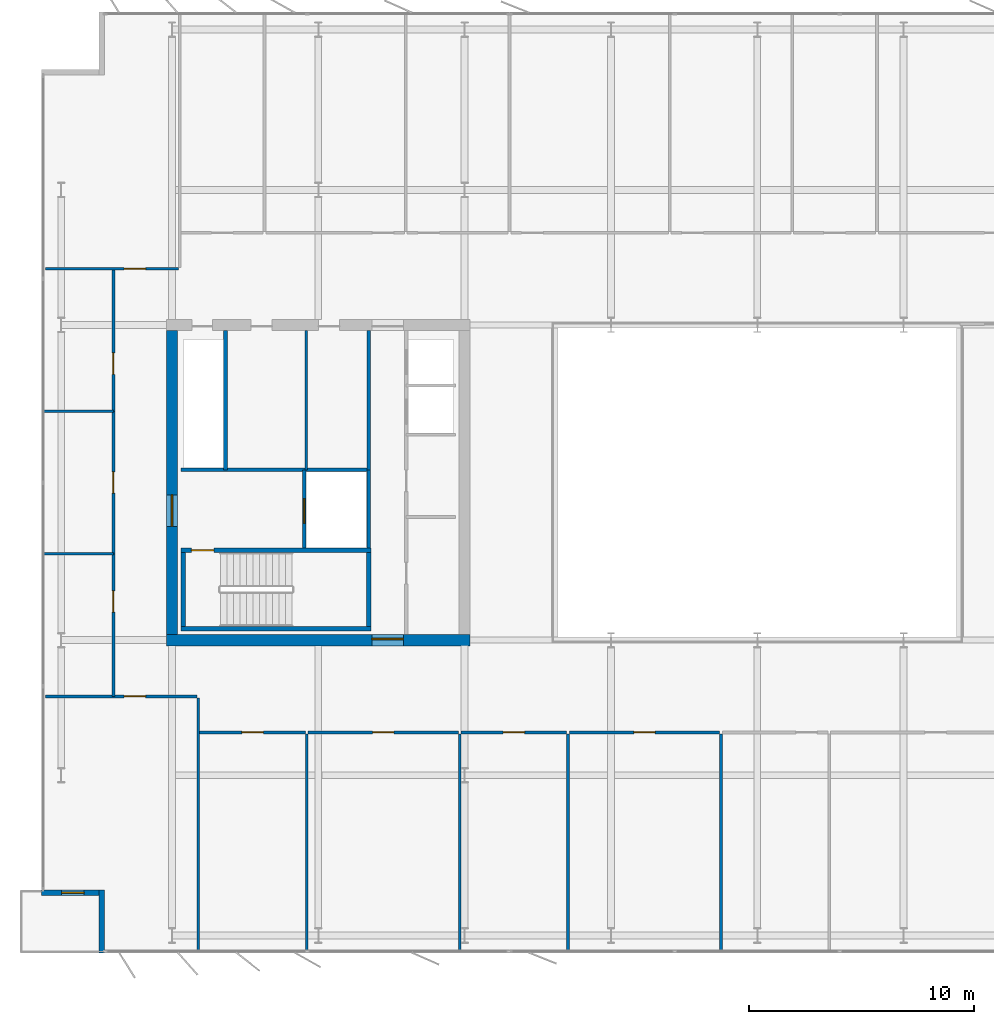
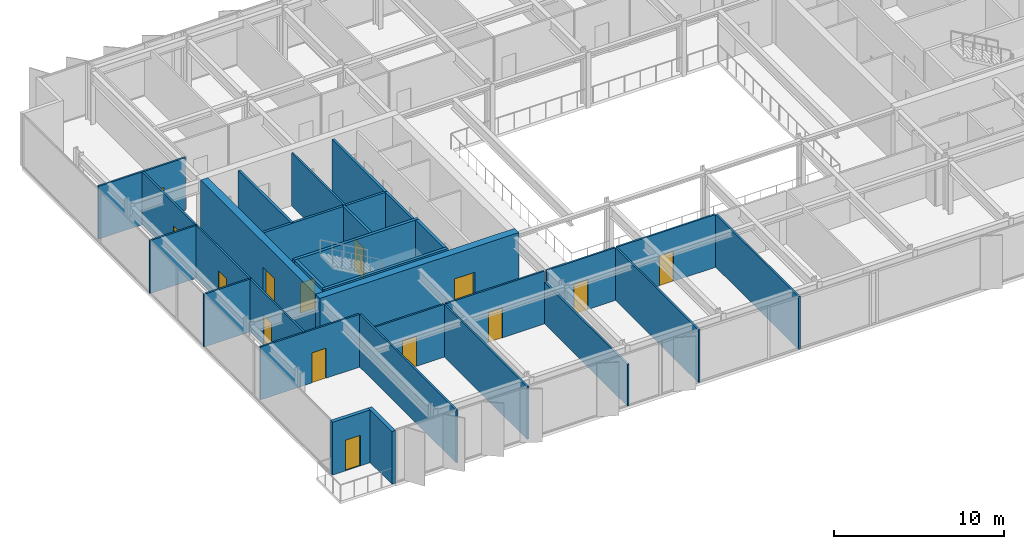
# One storey, part 13 of 20: 30 walls, 14 doors, 14 openings.
"""IFC4 building model written with IfcOpenShell, lengths in metres."""

from ifc_helpers import new_model, si_unit, direction, frame, frame_2d, origin, place, context, subcontext, project, spatial, rectangle, extrude, material, layer, layer_set, type_object, element, fill, save


model = new_model("IFC4")

# Units and contexts
model_context = context("Model", 3, precision=1e-05, world=origin(), true_north=direction((0.0, 1.0)))
body_context = subcontext(model_context, "Body", "Model", "MODEL_VIEW")
ifc_project = project(units=[si_unit("LENGTHUNIT", "METRE"), si_unit("AREAUNIT", "SQUARE_METRE"), si_unit("VOLUMEUNIT", "CUBIC_METRE"), si_unit("PLANEANGLEUNIT", "RADIAN"), si_unit("MASSUNIT", "GRAM", prefix="KILO")], contexts=[model_context])

# Site, building, storey
site_placement = place(None, origin())
site = spatial("IfcSite", under=ifc_project, at=site_placement, CompositionType="ELEMENT")
building_placement = place(site_placement, origin())
building = spatial("IfcBuilding", under=site, at=building_placement, Name="Putna Gate Headquarters", CompositionType="ELEMENT")
storey_placement = place(building_placement, frame((0.0, 0.0, 298.39990234375)))
storey = spatial("IfcBuildingStorey", under=building, at=storey_placement, Name="L75", CompositionType="ELEMENT", Elevation=298.39990234375)

# Wall, opening, door
ifc_material_1 = material(Name="Concrete C50/60", Category="concrete")
ifc_layer_1 = layer(ifc_material_1, 0.5)
ifc_layer_set_1 = layer_set([ifc_layer_1], Name="Concrete C50/60")
wall_type_1 = type_object("IfcWallType", Name="WALL-CORE-500", PredefinedType="SHEAR", material=ifc_layer_set_1)
wall_1_placement = place(storey_placement, frame((12.75, 19.0, 0.0), z_axis=(0.0, 0.0, 1.0), x_axis=(1.0, 0.0, 0.0)))
wall_1 = element("IfcWall", 1, at=wall_1_placement, inside=storey, type_object=wall_type_1, Name="L75 WC Split Core Shear Wall S", PredefinedType="SHEAR", context=body_context, shape_type="SweptSolid", body=[
    extrude(rectangle(XDim=13.5, YDim=0.5, at=frame_2d((6.75, 0.0))), origin(), (0.0, 0.0, 1.0), 4.0),
])
opening_1_placement = place(wall_1_placement, frame((9.1298828125, 0.0, 0.0)))
opening_1 = element("IfcOpeningElement", 2, at=opening_1_placement, cuts=wall_1, Name="Opening FDD-140", PredefinedType="OPENING", context=body_context, shape_type="SweptSolid", body=[
    extrude(rectangle(XDim=1.39990234375, YDim=2.199951171875, at=frame_2d((0.699951171875, 1.10009765625))), frame((0.0, 0.260009765625, 0.0), z_axis=(0.0, -1.0, 0.0), x_axis=(1.0, 0.0, 0.0)), (0.0, 0.0, 1.0), 0.52001953125),
])
ifc_material_2 = material(Name="Double steel fire door", Category="steel")
door_type_1 = type_object("IfcDoorType", Name="DOOR-FIRE-DBL-1400", OperationType="DOUBLE_DOOR_SINGLE_SWING", PredefinedType="DOOR", material=ifc_material_2)
door_1_placement = place(opening_1_placement, origin())
door_1 = element("IfcDoor", 3, at=door_1_placement, inside=storey, type_object=door_type_1, Name="L75 West Lift Lobby South Door", OperationType="DOUBLE_DOOR_SINGLE_SWING", OverallHeight=2.199951171875, OverallWidth=1.39990234375, PredefinedType="DOOR", context=body_context, shape_type="SweptSolid", body=[
    extrude(rectangle(XDim=1.39990234375, YDim=2.199951171875, at=frame_2d((0.699951171875, 1.10009765625))), frame((0.0, 0.0751953125, 0.0), z_axis=(0.0, -1.0, 0.0), x_axis=(1.0, 0.0, 0.0)), (0.0, 0.0, 1.0), 0.050048828125),
])
fill(opening_1, door_1)

wall_2_placement = place(storey_placement, frame((13.0, 19.25, 0.0), z_axis=(0.0, 0.0, 1.0), x_axis=(0.0, 1.0, 0.0)))
wall_2 = element("IfcWall", 4, at=wall_2_placement, inside=storey, type_object=wall_type_1, Name="L75 WC Split Core Shear Wall W", PredefinedType="SHEAR", context=body_context, shape_type="SweptSolid", body=[
    extrude(rectangle(XDim=13.5, YDim=0.5, at=frame_2d((6.75, 0.0))), origin(), (0.0, 0.0, 1.0), 4.0),
])
opening_2_placement = place(wall_2_placement, frame((4.800048828125, 0.0, 0.0)))
opening_2 = element("IfcOpeningElement", 5, at=opening_2_placement, cuts=wall_2, Name="Opening FDD-140", PredefinedType="OPENING", context=body_context, shape_type="SweptSolid", body=[
    extrude(rectangle(XDim=1.39990234375, YDim=2.199951171875, at=frame_2d((0.699951171875, 1.10009765625))), frame((0.0, 0.260009765625, 0.0), z_axis=(0.0, -1.0, 0.0), x_axis=(1.0, 0.0, 0.0)), (0.0, 0.0, 1.0), 0.52001953125),
])
door_2_placement = place(opening_2_placement, origin())
door_2 = element("IfcDoor", 6, at=door_2_placement, inside=storey, type_object=door_type_1, Name="L75 West Firefighting Lobby Door", OperationType="DOUBLE_DOOR_SINGLE_SWING", OverallHeight=2.199951171875, OverallWidth=1.39990234375, PredefinedType="DOOR", context=body_context, shape_type="SweptSolid", body=[
    extrude(rectangle(XDim=1.39990234375, YDim=2.199951171875, at=frame_2d((0.699951171875, 1.10009765625))), frame((0.0, 0.02490234375, 0.0), z_axis=(0.0, -1.0, 0.0), x_axis=(1.0, 0.0, 0.0)), (0.0, 0.0, 1.0), 0.050048828125),
])
fill(opening_2, door_2)

# Wall
ifc_material_3 = material(Name="Precast concrete C40/50", Category="concrete")
ifc_layer_2 = layer(ifc_material_3, 0.239990234375)
ifc_layer_set_2 = layer_set([ifc_layer_2], Name="Precast concrete C40/50")
wall_type_2 = type_object("IfcWallType", Name="WALL-EXT-TERR-240", PredefinedType="STANDARD", material=ifc_layer_set_2)
wall_3_placement = place(storey_placement, frame((9.8798828125, 5.10009765625, 0.0), z_axis=(0.0, 0.0, 1.0), x_axis=(0.0, 1.0, 0.0)))
element("IfcWall", 7, at=wall_3_placement, inside=storey, type_object=wall_type_2, Name="L75 Corner Notch Return Wall SW-V", PredefinedType="STANDARD", context=body_context, shape_type="SweptSolid", body=[
    extrude(rectangle(XDim=2.7998046875, YDim=0.239990234375, at=frame_2d((1.39990234375, 0.0))), origin(), (0.0, 0.0, 1.0), 3.7880859375),
])

# Wall, opening, door
wall_4_placement = place(storey_placement, frame((10.0, 7.780029296875, 0.0), z_axis=(0.0, 0.0, 1.0), x_axis=(-1.0, 0.0, 0.0)))
wall_4 = element("IfcWall", 8, at=wall_4_placement, inside=storey, type_object=wall_type_2, Name="L75 Corner Notch Return Wall SW-H", PredefinedType="STANDARD", context=body_context, shape_type="SweptSolid", body=[
    extrude(rectangle(XDim=2.800048828125, YDim=0.239990234375, at=frame_2d((1.39990234375, 0.0))), origin(), (0.0, 0.0, 1.0), 3.7880859375),
])
opening_3_placement = place(wall_4_placement, frame((0.89990234375, 0.0, 0.0)))
opening_3 = element("IfcOpeningElement", 9, at=opening_3_placement, cuts=wall_4, Name="Opening TRD-1", PredefinedType="OPENING", context=body_context, shape_type="SweptSolid", body=[
    extrude(rectangle(XDim=1.0, YDim=2.199951171875, at=frame_2d((0.5, 1.10009765625))), frame((0.0, 0.1298828125, 0.0), z_axis=(0.0, -1.0, 0.0), x_axis=(1.0, 0.0, 0.0)), (0.0, 0.0, 1.0), 0.260009765625),
])
ifc_material_4 = material(Name="Thermally broken bronze glazed terrace door")
door_type_2 = type_object("IfcDoorType", Name="DOOR-TERR-EXT-1000", OperationType="NOTDEFINED", PredefinedType="DOOR", material=ifc_material_4)
door_3_placement = place(opening_3_placement, origin())
door_3 = element("IfcDoor", 10, at=door_3_placement, inside=storey, type_object=door_type_2, Name="L75 Spiral Sky Terrace Door SW", OperationType="SINGLE_SWING_LEFT", OverallHeight=2.199951171875, OverallWidth=1.0, PredefinedType="DOOR", context=body_context, shape_type="SweptSolid", body=[
    extrude(rectangle(XDim=1.0, YDim=2.199951171875, at=frame_2d((0.5, 1.10009765625))), frame((0.0, 0.02490234375, 0.0), z_axis=(0.0, -1.0, 0.0), x_axis=(1.0, 0.0, 0.0)), (0.0, 0.0, 1.0), 0.050048828125),
])
fill(opening_3, door_3)

# Walls
ifc_material_5 = material(Name="Acoustic gypsum board on metal stud")
ifc_layer_3 = layer(ifc_material_5, 0.1201171875)
ifc_layer_set_3 = layer_set([ifc_layer_3], Name="Acoustic gypsum board on metal stud")
wall_type_3 = type_object("IfcWallType", Name="WALL-PART-120", PredefinedType="PARTITIONING", material=ifc_layer_set_3)
wall_5_placement = place(storey_placement, frame((14.174072265625, 5.1201171875, 0.0), z_axis=(0.0, 0.0, 1.0), x_axis=(0.0, 1.0, 0.0)))
element("IfcWall", 11, at=wall_5_placement, inside=storey, type_object=wall_type_3, Name="L75 Interior Wall PART-L75-SB-DIV-01", PredefinedType="PARTITIONING", context=body_context, shape_type="SweptSolid", body=[
    extrude(rectangle(XDim=11.31982421875, YDim=0.1201171875, at=frame_2d((5.659912109375, 0.0))), origin(), (0.0, 0.0, 1.0), 3.7880859375),
])
wall_6_placement = place(storey_placement, frame((18.98681640625, 5.1201171875, 0.0), z_axis=(0.0, 0.0, 1.0), x_axis=(0.0, 1.0, 0.0)))
element("IfcWall", 12, at=wall_6_placement, inside=storey, type_object=wall_type_3, Name="L75 Interior Wall PART-L75-SB-DIV-02", PredefinedType="PARTITIONING", context=body_context, shape_type="SweptSolid", body=[
    extrude(rectangle(XDim=9.719970703125, YDim=0.1201171875, at=frame_2d((4.85986328125, 0.0))), origin(), (0.0, 0.0, 1.0), 3.7880859375),
])
wall_7_placement = place(storey_placement, frame((25.78076171875, 5.1201171875, 0.0), z_axis=(0.0, 0.0, 1.0), x_axis=(0.0, 1.0, 0.0)))
element("IfcWall", 13, at=wall_7_placement, inside=storey, type_object=wall_type_3, Name="L75 Interior Wall PART-L75-SB-DIV-03", PredefinedType="PARTITIONING", context=body_context, shape_type="SweptSolid", body=[
    extrude(rectangle(XDim=9.719970703125, YDim=0.1201171875, at=frame_2d((4.85986328125, 0.0))), origin(), (0.0, 0.0, 1.0), 2.988037109375),
])
for number, where, z_axis, x_axis, name in (
    (14, (30.59326171875, 5.1201171875, 0.0), (0.0, 0.0, 1.0), (0.0, 1.0, 0.0), "L75 Interior Wall PART-L75-SB-DIV-04"),
    (15, (37.387451171875, 5.1201171875, 0.0), (0.0, 0.0, 1.0), (0.0, 1.0, 0.0), "L75 Interior Wall PART-L75-SB-DIV-05"),
):
    element("IfcWall", number, at=place(storey_placement, frame(where, z_axis=z_axis, x_axis=x_axis)), inside=storey, type_object=wall_type_3, Name=name, PredefinedType="PARTITIONING", context=body_context, shape_type="SweptSolid", body=[
        extrude(rectangle(XDim=9.719970703125, YDim=0.1201171875, at=frame_2d((4.85986328125, 0.0))), origin(), (0.0, 0.0, 1.0), 3.7880859375),
    ])
for number, where, z_axis, x_axis, name in (
    (16, (7.219970703125, 22.833251953125, 0.0), (0.0, 0.0, 1.0), (1.0, 0.0, 0.0), "L75 Interior Wall PART-L75-WW-DIV-1"),
    (17, (7.219970703125, 29.166748046875, 0.0), (0.0, 0.0, 1.0), (1.0, 0.0, 0.0), "L75 Interior Wall PART-L75-WW-DIV-2"),
):
    element("IfcWall", number, at=place(storey_placement, frame(where, z_axis=z_axis, x_axis=x_axis)), inside=storey, type_object=wall_type_3, Name=name, PredefinedType="PARTITIONING", context=body_context, shape_type="SweptSolid", body=[
        extrude(rectangle(XDim=3.179931640625, YDim=0.1201171875, at=frame_2d((1.58984375, 0.0))), origin(), (0.0, 0.0, 1.0), 3.7880859375),
    ])
ifc_material_6 = material(Name="Fire-rated gypsum board on metal stud")
ifc_layer_4 = layer(ifc_material_6, 0.1201171875)
ifc_layer_set_4 = layer_set([ifc_layer_4], Name="Fire-rated gypsum board on metal stud")
wall_type_4 = type_object("IfcWallType", Name="WALL-PART-120-RATED", PredefinedType="PARTITIONING", material=ifc_layer_set_4)
wall_8_placement = place(storey_placement, frame((18.969970703125, 26.56005859375, 0.0), z_axis=(0.0, 0.0, 1.0), x_axis=(0.0, 1.0, 0.0)))
element("IfcWall", 18, at=wall_8_placement, inside=storey, type_object=wall_type_4, Name="L75 Interior Wall CWINT-L75-WC-K0-DIV", PredefinedType="PARTITIONING", context=body_context, shape_type="SweptSolid", body=[
    extrude(rectangle(XDim=6.18994140625, YDim=0.1201171875, at=frame_2d((3.094970703125, 0.0))), origin(), (0.0, 0.0, 1.0), 3.7880859375),
])

# Wall, opening, door
wall_9_placement = place(storey_placement, frame((7.3798828125, 35.5, 0.0), z_axis=(0.0, 0.0, 1.0), x_axis=(1.0, 0.0, 0.0)))
wall_9 = element("IfcWall", 19, at=wall_9_placement, inside=storey, type_object=wall_type_4, Name="L75 Interior Wall PART-L75-NB-CW-01", PredefinedType="PARTITIONING", context=body_context, shape_type="SweptSolid", body=[
    extrude(rectangle(XDim=5.91162109375, YDim=0.1201171875, at=frame_2d((2.955810546875, 0.0))), origin(), (0.0, 0.0, 1.0), 3.7880859375),
])
opening_4_placement = place(wall_9_placement, frame((3.5, 0.0, 0.0)))
opening_4 = element("IfcOpeningElement", 20, at=opening_4_placement, cuts=wall_9, Name="Opening FD-95", PredefinedType="OPENING", context=body_context, shape_type="SweptSolid", body=[
    extrude(rectangle(XDim=0.949951171875, YDim=2.14990234375, at=frame_2d((0.47509765625, 1.074951171875))), frame((0.0, 0.070068359375, 0.0), z_axis=(0.0, -1.0, 0.0), x_axis=(1.0, 0.0, 0.0)), (0.0, 0.0, 1.0), 0.14013671875),
])
ifc_material_7 = material(Name="Acoustic timber fire door", Category="wood")
door_type_3 = type_object("IfcDoorType", Name="DOOR-FIRE-950", OperationType="NOTDEFINED", PredefinedType="DOOR", material=ifc_material_7)
door_4_placement = place(opening_4_placement, origin())
door_4 = element("IfcDoor", 21, at=door_4_placement, inside=storey, type_object=door_type_3, Name="L75 Conference Meeting Room 6 Door", OperationType="SINGLE_SWING_RIGHT", OverallHeight=2.14990234375, OverallWidth=0.949951171875, PredefinedType="DOOR", context=body_context, shape_type="SweptSolid", body=[
    extrude(rectangle(XDim=0.949951171875, YDim=2.14990234375, at=frame_2d((0.47509765625, 1.074951171875))), frame((0.0, 0.02490234375, 0.0), z_axis=(0.0, -1.0, 0.0), x_axis=(1.0, 0.0, 0.0)), (0.0, 0.0, 1.0), 0.050048828125),
])
fill(opening_4, door_4)

wall_10_placement = place(storey_placement, frame((7.3798828125, 16.5, 0.0), z_axis=(0.0, 0.0, 1.0), x_axis=(1.0, 0.0, 0.0)))
wall_10 = element("IfcWall", 22, at=wall_10_placement, inside=storey, type_object=wall_type_4, Name="L75 Interior Wall PART-L75-SB-CW-01", PredefinedType="PARTITIONING", context=body_context, shape_type="SweptSolid", body=[
    extrude(rectangle(XDim=6.734130859375, YDim=0.1201171875, at=frame_2d((3.3671875, 0.0))), origin(), (0.0, 0.0, 1.0), 3.7880859375),
])
opening_5_placement = place(wall_10_placement, frame((3.5, 0.0, 0.0)))
opening_5 = element("IfcOpeningElement", 23, at=opening_5_placement, cuts=wall_10, Name="Opening FD-95", PredefinedType="OPENING", context=body_context, shape_type="SweptSolid", body=[
    extrude(rectangle(XDim=0.949951171875, YDim=2.14990234375, at=frame_2d((0.47509765625, 1.074951171875))), frame((0.0, 0.070068359375, 0.0), z_axis=(0.0, -1.0, 0.0), x_axis=(1.0, 0.0, 0.0)), (0.0, 0.0, 1.0), 0.14013671875),
])
door_5_placement = place(opening_5_placement, origin())
door_5 = element("IfcDoor", 24, at=door_5_placement, inside=storey, type_object=door_type_3, Name="L75 Collaborative Breakout Lounge 1 Door", OperationType="SINGLE_SWING_RIGHT", OverallHeight=2.14990234375, OverallWidth=0.949951171875, PredefinedType="DOOR", context=body_context, shape_type="SweptSolid", body=[
    extrude(rectangle(XDim=0.949951171875, YDim=2.14990234375, at=frame_2d((0.47509765625, 1.074951171875))), frame((0.0, 0.02490234375, 0.0), z_axis=(0.0, -1.0, 0.0), x_axis=(1.0, 0.0, 0.0)), (0.0, 0.0, 1.0), 0.050048828125),
])
fill(opening_5, door_5)

wall_11_placement = place(storey_placement, frame((14.234130859375, 14.89990234375, 0.0), z_axis=(0.0, 0.0, 1.0), x_axis=(1.0, 0.0, 0.0)))
wall_11 = element("IfcWall", 25, at=wall_11_placement, inside=storey, type_object=wall_type_4, Name="L75 Interior Wall PART-L75-SB-CW-02", PredefinedType="PARTITIONING", context=body_context, shape_type="SweptSolid", body=[
    extrude(rectangle(XDim=4.692626953125, YDim=0.1201171875, at=frame_2d((2.34619140625, 0.0))), origin(), (0.0, 0.0, 1.0), 3.7880859375),
])
opening_6_placement = place(wall_11_placement, frame((1.871337890625, 0.0, 0.0)))
opening_6 = element("IfcOpeningElement", 26, at=opening_6_placement, cuts=wall_11, Name="Opening FD-95", PredefinedType="OPENING", context=body_context, shape_type="SweptSolid", body=[
    extrude(rectangle(XDim=0.949951171875, YDim=2.14990234375, at=frame_2d((0.47509765625, 1.074951171875))), frame((0.0, 0.070068359375, 0.0), z_axis=(0.0, -1.0, 0.0), x_axis=(1.0, 0.0, 0.0)), (0.0, 0.0, 1.0), 0.14013671875),
])
door_6_placement = place(opening_6_placement, origin())
door_6 = element("IfcDoor", 27, at=door_6_placement, inside=storey, type_object=door_type_3, Name="L75 Conference Meeting Room 1 Door", OperationType="SINGLE_SWING_LEFT", OverallHeight=2.14990234375, OverallWidth=0.949951171875, PredefinedType="DOOR", context=body_context, shape_type="SweptSolid", body=[
    extrude(rectangle(XDim=0.949951171875, YDim=2.14990234375, at=frame_2d((0.47509765625, 1.074951171875))), frame((0.0, 0.02490234375, 0.0), z_axis=(0.0, -1.0, 0.0), x_axis=(1.0, 0.0, 0.0)), (0.0, 0.0, 1.0), 0.050048828125),
])
fill(opening_6, door_6)

wall_12_placement = place(storey_placement, frame((19.046630859375, 14.89990234375, 0.0), z_axis=(0.0, 0.0, 1.0), x_axis=(1.0, 0.0, 0.0)))
wall_12 = element("IfcWall", 28, at=wall_12_placement, inside=storey, type_object=wall_type_4, Name="L75 Interior Wall PART-L75-SB-CW-03", PredefinedType="PARTITIONING", context=body_context, shape_type="SweptSolid", body=[
    extrude(rectangle(XDim=6.674072265625, YDim=0.1201171875, at=frame_2d((3.3369140625, 0.0))), origin(), (0.0, 0.0, 1.0), 3.7880859375),
])
opening_7_placement = place(wall_12_placement, frame((2.862060546875, 0.0, 0.0)))
opening_7 = element("IfcOpeningElement", 29, at=opening_7_placement, cuts=wall_12, Name="Opening FD-95", PredefinedType="OPENING", context=body_context, shape_type="SweptSolid", body=[
    extrude(rectangle(XDim=0.949951171875, YDim=2.14990234375, at=frame_2d((0.47509765625, 1.074951171875))), frame((0.0, 0.070068359375, 0.0), z_axis=(0.0, -1.0, 0.0), x_axis=(1.0, 0.0, 0.0)), (0.0, 0.0, 1.0), 0.14013671875),
])
door_7_placement = place(opening_7_placement, origin())
door_7 = element("IfcDoor", 30, at=door_7_placement, inside=storey, type_object=door_type_3, Name="L75 Conference Meeting Room 2 Door", OperationType="SINGLE_SWING_RIGHT", OverallHeight=2.14990234375, OverallWidth=0.949951171875, PredefinedType="DOOR", context=body_context, shape_type="SweptSolid", body=[
    extrude(rectangle(XDim=0.949951171875, YDim=2.14990234375, at=frame_2d((0.47509765625, 1.074951171875))), frame((0.0, 0.02490234375, 0.0), z_axis=(0.0, -1.0, 0.0), x_axis=(1.0, 0.0, 0.0)), (0.0, 0.0, 1.0), 0.050048828125),
])
fill(opening_7, door_7)

wall_13_placement = place(storey_placement, frame((25.8408203125, 14.89990234375, 0.0), z_axis=(0.0, 0.0, 1.0), x_axis=(1.0, 0.0, 0.0)))
wall_13 = element("IfcWall", 31, at=wall_13_placement, inside=storey, type_object=wall_type_4, Name="L75 Interior Wall PART-L75-SB-CW-04", PredefinedType="PARTITIONING", context=body_context, shape_type="SweptSolid", body=[
    extrude(rectangle(XDim=4.6923828125, YDim=0.1201171875, at=frame_2d((2.34619140625, 0.0))), origin(), (0.0, 0.0, 1.0), 3.7880859375),
])
opening_8_placement = place(wall_13_placement, frame((1.87109375, 0.0, 0.0)))
opening_8 = element("IfcOpeningElement", 32, at=opening_8_placement, cuts=wall_13, Name="Opening FD-95", PredefinedType="OPENING", context=body_context, shape_type="SweptSolid", body=[
    extrude(rectangle(XDim=0.949951171875, YDim=2.14990234375, at=frame_2d((0.47509765625, 1.074951171875))), frame((0.0, 0.070068359375, 0.0), z_axis=(0.0, -1.0, 0.0), x_axis=(1.0, 0.0, 0.0)), (0.0, 0.0, 1.0), 0.14013671875),
])
door_8_placement = place(opening_8_placement, origin())
door_8 = element("IfcDoor", 33, at=door_8_placement, inside=storey, type_object=door_type_3, Name="L75 Conference Meeting Room 3 Door", OperationType="SINGLE_SWING_LEFT", OverallHeight=2.14990234375, OverallWidth=0.949951171875, PredefinedType="DOOR", context=body_context, shape_type="SweptSolid", body=[
    extrude(rectangle(XDim=0.949951171875, YDim=2.14990234375, at=frame_2d((0.47509765625, 1.074951171875))), frame((0.0, 0.02490234375, 0.0), z_axis=(0.0, -1.0, 0.0), x_axis=(1.0, 0.0, 0.0)), (0.0, 0.0, 1.0), 0.050048828125),
])
fill(opening_8, door_8)

wall_14_placement = place(storey_placement, frame((30.6533203125, 14.89990234375, 0.0), z_axis=(0.0, 0.0, 1.0), x_axis=(1.0, 0.0, 0.0)))
wall_14 = element("IfcWall", 34, at=wall_14_placement, inside=storey, type_object=wall_type_4, Name="L75 Interior Wall PART-L75-SB-CW-05", PredefinedType="PARTITIONING", context=body_context, shape_type="SweptSolid", body=[
    extrude(rectangle(XDim=6.674072265625, YDim=0.1201171875, at=frame_2d((3.3369140625, 0.0))), origin(), (0.0, 0.0, 1.0), 3.7880859375),
])
opening_9_placement = place(wall_14_placement, frame((2.862060546875, 0.0, 0.0)))
opening_9 = element("IfcOpeningElement", 35, at=opening_9_placement, cuts=wall_14, Name="Opening FD-95", PredefinedType="OPENING", context=body_context, shape_type="SweptSolid", body=[
    extrude(rectangle(XDim=0.949951171875, YDim=2.14990234375, at=frame_2d((0.47509765625, 1.074951171875))), frame((0.0, 0.070068359375, 0.0), z_axis=(0.0, -1.0, 0.0), x_axis=(1.0, 0.0, 0.0)), (0.0, 0.0, 1.0), 0.14013671875),
])
door_9_placement = place(opening_9_placement, origin())
door_9 = element("IfcDoor", 36, at=door_9_placement, inside=storey, type_object=door_type_3, Name="L75 Conference Meeting Room 4 Door", OperationType="SINGLE_SWING_RIGHT", OverallHeight=2.14990234375, OverallWidth=0.949951171875, PredefinedType="DOOR", context=body_context, shape_type="SweptSolid", body=[
    extrude(rectangle(XDim=0.949951171875, YDim=2.14990234375, at=frame_2d((0.47509765625, 1.074951171875))), frame((0.0, 0.02490234375, 0.0), z_axis=(0.0, -1.0, 0.0), x_axis=(1.0, 0.0, 0.0)), (0.0, 0.0, 1.0), 0.050048828125),
])
fill(opening_9, door_9)

wall_15_placement = place(storey_placement, frame((10.39990234375, 16.5, 0.0), z_axis=(0.0, 0.0, 1.0), x_axis=(0.0, 1.0, 0.0)))
wall_15 = element("IfcWall", 37, at=wall_15_placement, inside=storey, type_object=wall_type_4, Name="L75 Interior Wall PART-L75-WW-CW-1", PredefinedType="PARTITIONING", context=body_context, shape_type="SweptSolid", body=[
    extrude(rectangle(XDim=6.333251953125, YDim=0.1201171875, at=frame_2d((3.16650390625, 0.0))), origin(), (0.0, 0.0, 1.0), 3.7880859375),
])
opening_10_placement = place(wall_15_placement, frame((3.74169921875, 0.0, 0.0)))
opening_10 = element("IfcOpeningElement", 38, at=opening_10_placement, cuts=wall_15, Name="Opening FD-95", PredefinedType="OPENING", context=body_context, shape_type="SweptSolid", body=[
    extrude(rectangle(XDim=0.949951171875, YDim=2.14990234375, at=frame_2d((0.47509765625, 1.074951171875))), frame((0.0, 0.070068359375, 0.0), z_axis=(0.0, -1.0, 0.0), x_axis=(1.0, 0.0, 0.0)), (0.0, 0.0, 1.0), 0.14013671875),
])
door_10_placement = place(opening_10_placement, origin())
door_10 = element("IfcDoor", 39, at=door_10_placement, inside=storey, type_object=door_type_3, Name="L75 West Executive Office 1 Door", OperationType="SINGLE_SWING_RIGHT", OverallHeight=2.14990234375, OverallWidth=0.949951171875, PredefinedType="DOOR", context=body_context, shape_type="SweptSolid", body=[
    extrude(rectangle(XDim=0.949951171875, YDim=2.14990234375, at=frame_2d((0.47509765625, 1.074951171875))), frame((0.0, 0.02490234375, 0.0), z_axis=(0.0, -1.0, 0.0), x_axis=(1.0, 0.0, 0.0)), (0.0, 0.0, 1.0), 0.050048828125),
])
fill(opening_10, door_10)

wall_16_placement = place(storey_placement, frame((10.39990234375, 22.833251953125, 0.0), z_axis=(0.0, 0.0, 1.0), x_axis=(0.0, 1.0, 0.0)))
wall_16 = element("IfcWall", 40, at=wall_16_placement, inside=storey, type_object=wall_type_4, Name="L75 Interior Wall PART-L75-WW-CW-2", PredefinedType="PARTITIONING", context=body_context, shape_type="SweptSolid", body=[
    extrude(rectangle(XDim=6.33349609375, YDim=0.1201171875, at=frame_2d((3.166748046875, 0.0))), origin(), (0.0, 0.0, 1.0), 3.7880859375),
])
opening_11_placement = place(wall_16_placement, frame((2.691650390625, 0.0, 0.0)))
opening_11 = element("IfcOpeningElement", 41, at=opening_11_placement, cuts=wall_16, Name="Opening FD-95", PredefinedType="OPENING", context=body_context, shape_type="SweptSolid", body=[
    extrude(rectangle(XDim=0.949951171875, YDim=2.14990234375, at=frame_2d((0.47509765625, 1.074951171875))), frame((0.0, 0.070068359375, 0.0), z_axis=(0.0, -1.0, 0.0), x_axis=(1.0, 0.0, 0.0)), (0.0, 0.0, 1.0), 0.14013671875),
])
door_11_placement = place(opening_11_placement, origin())
door_11 = element("IfcDoor", 42, at=door_11_placement, inside=storey, type_object=door_type_3, Name="L75 West Executive Office 2 Door", OperationType="SINGLE_SWING_LEFT", OverallHeight=2.14990234375, OverallWidth=0.949951171875, PredefinedType="DOOR", context=body_context, shape_type="SweptSolid", body=[
    extrude(rectangle(XDim=0.949951171875, YDim=2.14990234375, at=frame_2d((0.47509765625, 1.074951171875))), frame((0.0, 0.02490234375, 0.0), z_axis=(0.0, -1.0, 0.0), x_axis=(1.0, 0.0, 0.0)), (0.0, 0.0, 1.0), 0.050048828125),
])
fill(opening_11, door_11)

wall_17_placement = place(storey_placement, frame((10.39990234375, 29.166748046875, 0.0), z_axis=(0.0, 0.0, 1.0), x_axis=(0.0, 1.0, 0.0)))
wall_17 = element("IfcWall", 43, at=wall_17_placement, inside=storey, type_object=wall_type_4, Name="L75 Interior Wall PART-L75-WW-CW-3", PredefinedType="PARTITIONING", context=body_context, shape_type="SweptSolid", body=[
    extrude(rectangle(XDim=6.333251953125, YDim=0.1201171875, at=frame_2d((3.16650390625, 0.0))), origin(), (0.0, 0.0, 1.0), 3.7880859375),
])
opening_12_placement = place(wall_17_placement, frame((1.6416015625, 0.0, 0.0)))
opening_12 = element("IfcOpeningElement", 44, at=opening_12_placement, cuts=wall_17, Name="Opening FD-95", PredefinedType="OPENING", context=body_context, shape_type="SweptSolid", body=[
    extrude(rectangle(XDim=0.949951171875, YDim=2.14990234375, at=frame_2d((0.47509765625, 1.074951171875))), frame((0.0, 0.070068359375, 0.0), z_axis=(0.0, -1.0, 0.0), x_axis=(1.0, 0.0, 0.0)), (0.0, 0.0, 1.0), 0.14013671875),
])
door_12_placement = place(opening_12_placement, origin())
door_12 = element("IfcDoor", 45, at=door_12_placement, inside=storey, type_object=door_type_3, Name="L75 West Project Meeting Room 3 Door", OperationType="SINGLE_SWING_RIGHT", OverallHeight=2.14990234375, OverallWidth=0.949951171875, PredefinedType="DOOR", context=body_context, shape_type="SweptSolid", body=[
    extrude(rectangle(XDim=0.949951171875, YDim=2.14990234375, at=frame_2d((0.47509765625, 1.074951171875))), frame((0.0, 0.02490234375, 0.0), z_axis=(0.0, -1.0, 0.0), x_axis=(1.0, 0.0, 0.0)), (0.0, 0.0, 1.0), 0.050048828125),
])
fill(opening_12, door_12)

# Wall
ifc_material_8 = material(Name="Concrete C40/50", Category="concrete")
ifc_layer_5 = layer(ifc_material_8, 0.159912109375)
ifc_layer_set_5 = layer_set([ifc_layer_5], Name="Concrete C40/50")
wall_type_5 = type_object("IfcWallType", Name="WALL-SHAFT-160", PredefinedType="STANDARD", material=ifc_layer_set_5)
wall_18_placement = place(storey_placement, frame((21.739990234375, 23.090087890625, 0.0), z_axis=(0.0, 0.0, 1.0), x_axis=(0.0, 1.0, 0.0)))
element("IfcWall", 46, at=wall_18_placement, inside=storey, type_object=wall_type_5, Name="L75 Interior Wall CWINT-L75-WC-FFL-E", PredefinedType="STANDARD", context=body_context, shape_type="SweptSolid", body=[
    extrude(rectangle(XDim=3.469970703125, YDim=0.159912109375, at=frame_2d((1.73486328125, 0.0))), origin(), (0.0, 0.0, 1.0), 3.7880859375),
])

# Wall, opening, door
wall_19_placement = place(storey_placement, frame((18.8798828125, 23.090087890625, 0.0), z_axis=(0.0, 0.0, 1.0), x_axis=(0.0, 1.0, 0.0)))
wall_19 = element("IfcWall", 47, at=wall_19_placement, inside=storey, type_object=wall_type_5, Name="L75 Interior Wall CWINT-L75-WC-LF13-W", PredefinedType="STANDARD", context=body_context, shape_type="SweptSolid", body=[
    extrude(rectangle(XDim=3.469970703125, YDim=0.159912109375, at=frame_2d((1.73486328125, 0.0))), origin(), (0.0, 0.0, 1.0), 3.7880859375),
])
opening_13_placement = place(wall_19_placement, frame((1.10009765625, 0.0, 0.0)))
opening_13 = element("IfcOpeningElement", 48, at=opening_13_placement, cuts=wall_19, Name="Opening LD-1", PredefinedType="OPENING", context=body_context, shape_type="SweptSolid", body=[
    extrude(rectangle(XDim=1.10009765625, YDim=2.199951171875, at=frame_2d((0.550048828125, 1.10009765625))), frame((0.0, 0.08984375, 0.0), z_axis=(0.0, -1.0, 0.0), x_axis=(1.0, 0.0, 0.0)), (0.0, 0.0, 1.0), 0.179931640625),
])
ifc_material_9 = material(Name="Brushed bronze stainless lift landing door")
door_type_4 = type_object("IfcDoorType", Name="DOOR-LIFT-1100", OperationType="DOUBLE_DOOR_SLIDING", PredefinedType="DOOR", material=ifc_material_9)
door_13_placement = place(opening_13_placement, origin())
door_13 = element("IfcDoor", 49, at=door_13_placement, inside=storey, type_object=door_type_4, Name="L75 Lift Landing Door LD-13", OperationType="DOUBLE_DOOR_SLIDING", OverallHeight=2.199951171875, OverallWidth=1.10009765625, PredefinedType="DOOR", context=body_context, shape_type="SweptSolid", body=[
    extrude(rectangle(XDim=1.10009765625, YDim=2.199951171875, at=frame_2d((0.550048828125, 1.10009765625))), frame((0.0, 0.02490234375, 0.0), z_axis=(0.0, -1.0, 0.0), x_axis=(1.0, 0.0, 0.0)), (0.0, 0.0, 1.0), 0.050048828125),
])
fill(opening_13, door_13)

# Walls
wall_20_placement = place(storey_placement, frame((13.39990234375, 26.56005859375, 0.0), z_axis=(0.0, 0.0, 1.0), x_axis=(1.0, 0.0, 0.0)))
element("IfcWall", 50, at=wall_20_placement, inside=storey, type_object=wall_type_5, Name="L75 Interior Wall CWINT-L75-WC-FFL-N", PredefinedType="STANDARD", context=body_context, shape_type="SweptSolid", body=[
    extrude(rectangle(XDim=8.340087890625, YDim=0.159912109375, at=frame_2d((4.169921875, 0.0))), origin(), (0.0, 0.0, 1.0), 3.7880859375),
])
for number, where, z_axis, x_axis, name in (
    (51, (15.3798828125, 26.56005859375, 0.0), (0.0, 0.0, 1.0), (0.0, 1.0, 0.0), "L75 Interior Wall CWINT-L75-WC-RISER-E"),
    (52, (21.739990234375, 26.56005859375, 0.0), (0.0, 0.0, 1.0), (0.0, 1.0, 0.0), "L75 Interior Wall CWINT-L75-WC-LOB-W"),
):
    element("IfcWall", number, at=place(storey_placement, frame(where, z_axis=z_axis, x_axis=x_axis)), inside=storey, type_object=wall_type_5, Name=name, PredefinedType="STANDARD", context=body_context, shape_type="SweptSolid", body=[
        extrude(rectangle(XDim=6.18994140625, YDim=0.159912109375, at=frame_2d((3.094970703125, 0.0))), origin(), (0.0, 0.0, 1.0), 3.7880859375),
    ])
ifc_layer_6 = layer(ifc_material_8, 0.199951171875)
ifc_layer_set_6 = layer_set([ifc_layer_6], Name="Concrete C40/50")
wall_type_6 = type_object("IfcWallType", Name="WALL-SHAFT-RC200", PredefinedType="SHEAR", material=ifc_layer_set_6)
wall_21_placement = place(storey_placement, frame((13.409912109375, 19.510009765625, 0.0), z_axis=(0.0, 0.0, 1.0), x_axis=(1.0, 0.0, 0.0)))
element("IfcWall", 53, at=wall_21_placement, inside=storey, type_object=wall_type_6, Name="L75 Stair ST1 Structural Shaft Wall S", PredefinedType="SHEAR", context=body_context, shape_type="SweptSolid", body=[
    extrude(rectangle(XDim=8.43017578125, YDim=0.199951171875, at=frame_2d((4.215087890625, 0.0))), origin(), (0.0, 0.0, 1.0), 4.0),
])

# Wall, opening, door
wall_22_placement = place(storey_placement, frame((13.409912109375, 22.989990234375, 0.0), z_axis=(0.0, 0.0, 1.0), x_axis=(1.0, 0.0, 0.0)))
wall_22 = element("IfcWall", 54, at=wall_22_placement, inside=storey, type_object=wall_type_6, Name="L75 Stair ST1 Structural Shaft Wall N", PredefinedType="SHEAR", context=body_context, shape_type="SweptSolid", body=[
    extrude(rectangle(XDim=8.43017578125, YDim=0.199951171875, at=frame_2d((4.215087890625, 0.0))), origin(), (0.0, 0.0, 1.0), 4.0),
])
opening_14_placement = place(wall_22_placement, frame((0.449951171875, 0.0, 0.0)))
opening_14 = element("IfcOpeningElement", 55, at=opening_14_placement, cuts=wall_22, Name="Opening FD-100", PredefinedType="OPENING", context=body_context, shape_type="SweptSolid", body=[
    extrude(rectangle(XDim=1.0, YDim=2.14990234375, at=frame_2d((0.5, 1.074951171875))), frame((0.0, 0.10986328125, 0.0), z_axis=(0.0, -1.0, 0.0), x_axis=(1.0, 0.0, 0.0)), (0.0, 0.0, 1.0), 0.219970703125),
])
ifc_material_10 = material(Name="Powder-coated steel fire door", Category="steel")
door_type_5 = type_object("IfcDoorType", Name="DOOR-FIRE-1000", OperationType="NOTDEFINED", PredefinedType="DOOR", material=ifc_material_10)
door_14_placement = place(opening_14_placement, origin())
door_14 = element("IfcDoor", 56, at=door_14_placement, inside=storey, type_object=door_type_5, Name="L75 Stair ST1 Fire Door", OperationType="SINGLE_SWING_LEFT", OverallHeight=2.14990234375, OverallWidth=1.0, PredefinedType="DOOR", context=body_context, shape_type="SweptSolid", body=[
    extrude(rectangle(XDim=1.0, YDim=2.14990234375, at=frame_2d((0.5, 1.074951171875))), frame((0.0, 0.02490234375, 0.0), z_axis=(0.0, -1.0, 0.0), x_axis=(1.0, 0.0, 0.0)), (0.0, 0.0, 1.0), 0.050048828125),
])
fill(opening_14, door_14)

# Walls
for number, where, z_axis, x_axis, name in (
    (57, (13.510009765625, 19.610107421875, 0.0), (0.0, 0.0, 1.0), (0.0, 1.0, 0.0), "L75 Stair ST1 Structural Shaft Wall W"),
    (58, (21.739990234375, 19.610107421875, 0.0), (0.0, 0.0, 1.0), (0.0, 1.0, 0.0), "L75 Stair ST1 Structural Shaft Wall E"),
):
    element("IfcWall", number, at=place(storey_placement, frame(where, z_axis=z_axis, x_axis=x_axis)), inside=storey, type_object=wall_type_6, Name=name, PredefinedType="SHEAR", context=body_context, shape_type="SweptSolid", body=[
        extrude(rectangle(XDim=3.27978515625, YDim=0.199951171875, at=frame_2d((1.639892578125, 0.0))), origin(), (0.0, 0.0, 1.0), 4.0),
    ])

save(model, "model.ifc")
